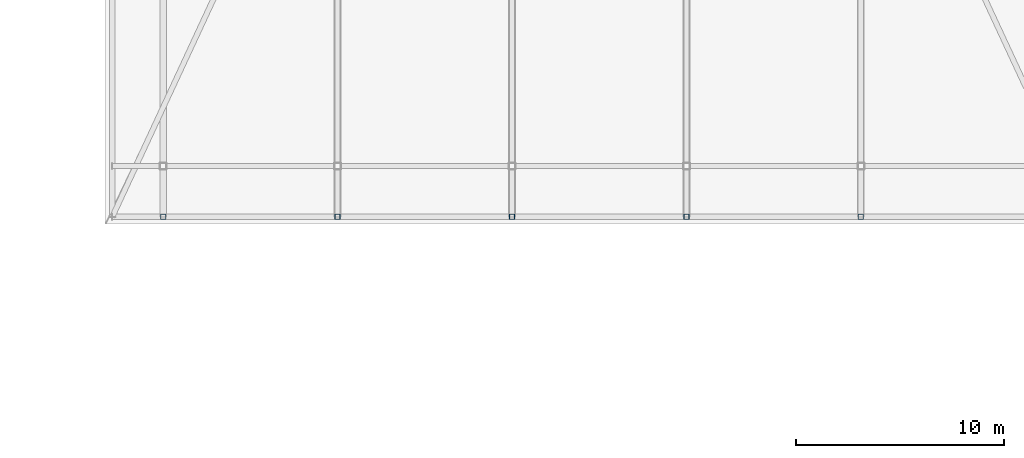
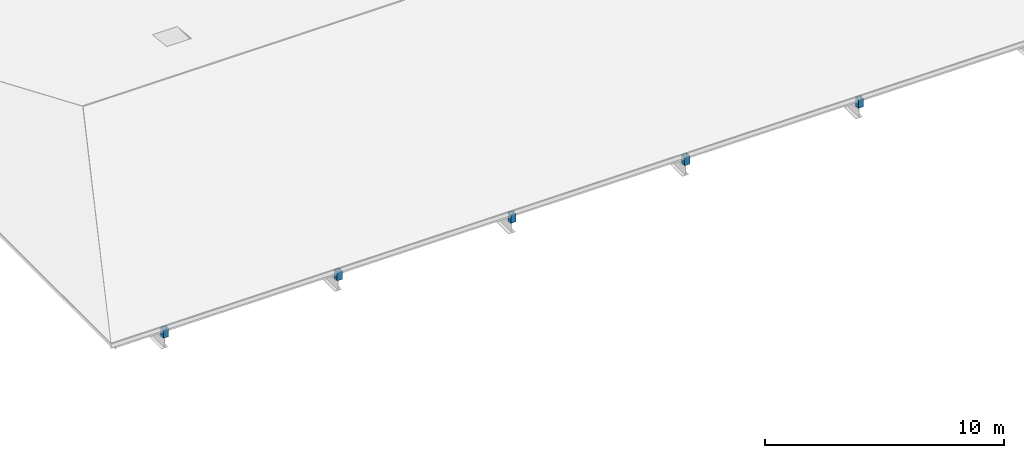
# One storey, part 4 of 13: 5 members.
"""IFC4 building model written with IfcOpenShell, lengths in metres."""

from ifc_helpers import new_model, si_unit, direction, frame, origin, origin_2d, place, context, subcontext, project, spatial, hollow_rectangle, extrude, material, material_profile, profile_set, type_object, element, save


model = new_model("IFC4")

# Units and contexts
model_context = context("Model", 3, precision=1e-05, world=origin(), true_north=direction((0.0, 1.0)))
body_context = subcontext(model_context, "Body", "Model", "MODEL_VIEW")
ifc_project = project(units=[si_unit("LENGTHUNIT", "METRE"), si_unit("AREAUNIT", "SQUARE_METRE"), si_unit("VOLUMEUNIT", "CUBIC_METRE"), si_unit("PLANEANGLEUNIT", "RADIAN"), si_unit("MASSUNIT", "GRAM", prefix="KILO")], contexts=[model_context])

# Site, building, storey
site_placement = place(None, origin())
site = spatial("IfcSite", under=ifc_project, at=site_placement, CompositionType="ELEMENT")
building_placement = place(site_placement, origin())
building = spatial("IfcBuilding", under=site, at=building_placement, Name="Cumbredor Promenade Congress Hotel", CompositionType="ELEMENT")
storey_placement = place(building_placement, frame((0.0, 0.0, 38.639892578125)))
storey = spatial("IfcBuildingStorey", under=building, at=storey_placement, Name="RF", CompositionType="ELEMENT", Elevation=38.639892578125)

# Members
ifc_material = material(Name="Steel ASTM A500 Grade C", Category="steel")
ifc_material_profile = material_profile(ifc_material, hollow_rectangle(XDim=0.25, YDim=0.25, WallThickness=0.012451171875, at=origin_2d()), Name="HSS 250x250x12.5")
ifc_profile_set = profile_set([ifc_material_profile], Name="Steel ASTM A500 Grade C")
member_type = type_object("IfcMemberType", Name="Hotel Tropical Roof Rafter Chord", PredefinedType="RAFTER", material=ifc_profile_set)
for number, where, z_axis, x_axis, name in (
    (1, (8.39990234375, 89.949951171875, -0.219970703125), (0.0, 0.0, 1.0), (1.0, 0.0, 0.0), "Hotel Broad-Eave Roof Eave Post X8S"),
    (2, (16.800048828125, 89.949951171875, -0.219970703125), (0.0, 0.0, 1.0), (1.0, 0.0, 0.0), "Hotel Broad-Eave Roof Eave Post X16S"),
    (3, (25.199951171875, 89.949951171875, -0.219970703125), (0.0, 0.0, 1.0), (1.0, 0.0, 0.0), "Hotel Broad-Eave Roof Eave Post X25S"),
    (4, (33.60009765625, 89.949951171875, -0.219970703125), (0.0, 0.0, 1.0), (1.0, 0.0, 0.0), "Hotel Broad-Eave Roof Eave Post X33S"),
    (5, (42.0, 89.949951171875, -0.219970703125), (0.0, 0.0, 1.0), (1.0, 0.0, 0.0), "Hotel Broad-Eave Roof Eave Post X42S"),
):
    element("IfcMember", number, at=place(storey_placement, frame(where, z_axis=z_axis, x_axis=x_axis)), inside=storey, type_object=member_type, Name=name, PredefinedType="RAFTER", context=body_context, shape_type="SweptSolid", body=[
        extrude(hollow_rectangle(XDim=0.25, YDim=0.25, WallThickness=0.012451171875, at=origin_2d()), origin(), (0.0, 0.0, 1.0), 0.440185546875),
    ])

save(model, "model.ifc")
